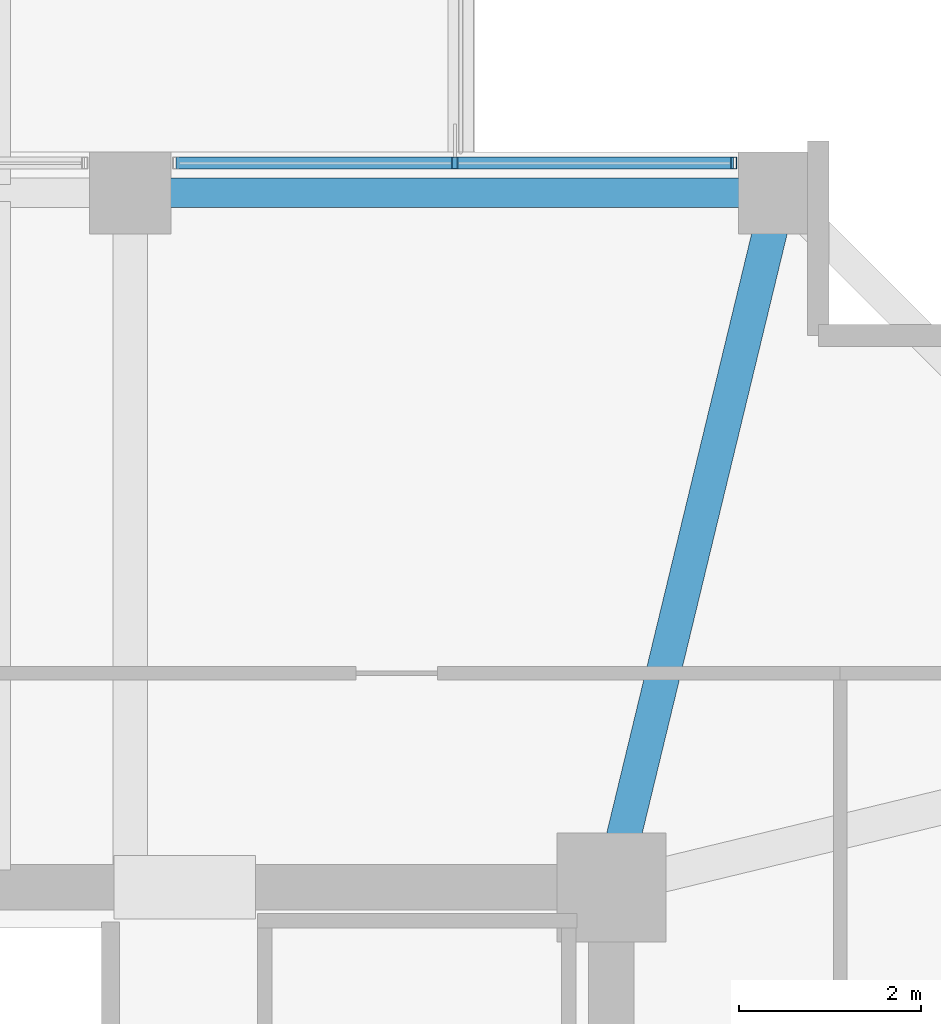
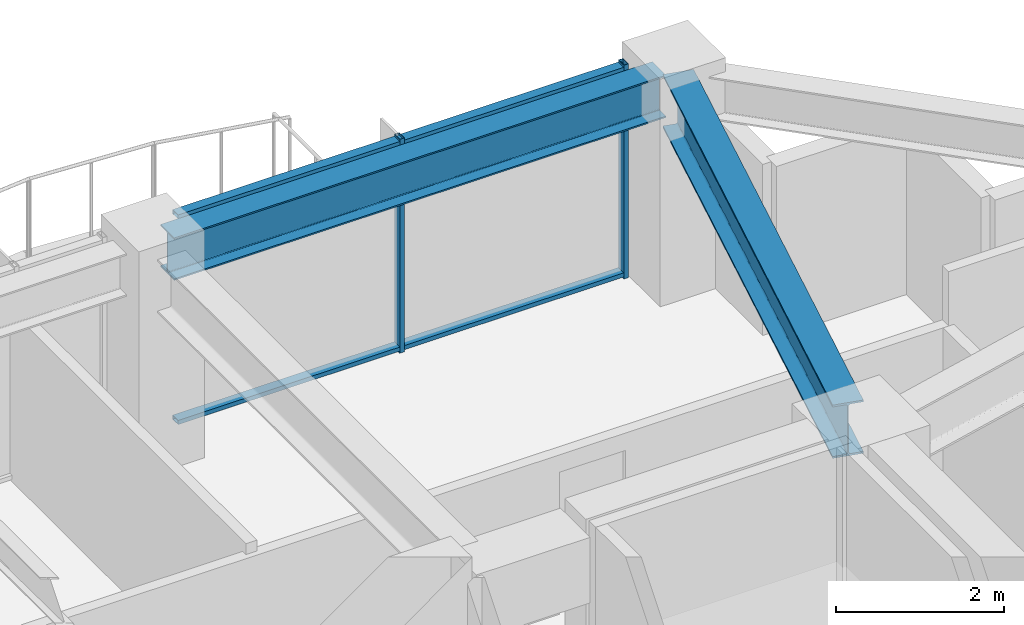
# One storey, part 19 of 31: 4 members, 2 beams, 1 element without a shape of its own.
"""IFC4 building model written with IfcOpenShell, lengths in metres."""

from ifc_helpers import new_model, si_unit, direction, frame, origin, origin_2d, place, context, subcontext, project, spatial, hollow_rectangle, i_section, extrude, material, material_profile, profile_set, type_object, element, aggregate, save


model = new_model("IFC4")

# Units and contexts
model_context = context("Model", 3, precision=1e-05, world=origin(), true_north=direction((0.0, 1.0)))
body_context = subcontext(model_context, "Body", "Model", "MODEL_VIEW")
ifc_project = project(units=[si_unit("LENGTHUNIT", "METRE"), si_unit("AREAUNIT", "SQUARE_METRE"), si_unit("VOLUMEUNIT", "CUBIC_METRE"), si_unit("PLANEANGLEUNIT", "RADIAN"), si_unit("MASSUNIT", "GRAM", prefix="KILO")], contexts=[model_context])

# Site, building, storey
site_placement = place(None, origin())
site = spatial("IfcSite", under=ifc_project, at=site_placement, CompositionType="ELEMENT")
building_placement = place(site_placement, origin())
building = spatial("IfcBuilding", under=site, at=building_placement, Name="Kolvaren Belvedere", CompositionType="ELEMENT")
storey_placement = place(building_placement, frame((0.0, 0.0, 138.199951171875)))
storey = spatial("IfcBuildingStorey", under=building, at=storey_placement, Name="L40", CompositionType="ELEMENT", Elevation=138.199951171875)

# Beams
ifc_material_1 = material(Name="Structural steel ASTM A992 Grade 50", Category="steel")
ifc_material_profile_1 = material_profile(ifc_material_1, i_section(OverallWidth=0.381103515625, OverallDepth=0.77294921875, WebThickness=0.0166015625, FlangeThickness=0.027099609375, FilletRadius=0.02392578125, at=origin_2d()), Name="W30X173")
ifc_profile_set_1 = profile_set([ifc_material_profile_1], Name="Structural steel ASTM A992 Grade 50")
beam_type_1 = type_object("IfcBeamType", Name="BM-GIRD-W30X173", PredefinedType="BEAM", material=ifc_profile_set_1)
beam_1_placement = place(storey_placement, frame((10.029296875, 10.4345703125, 2.713623046875), z_axis=(0.235062749937, 0.971980197119, 0.0), x_axis=(-0.971980197119, 0.235062749937, 0.0)))
element("IfcBeam", 1, at=beam_1_placement, inside=storey, type_object=beam_type_1, Name="L40 Corner Core-to-Perimeter Girder CC3-N4", PredefinedType="BEAM", context=body_context, shape_type="SweptSolid", body=[
    extrude(i_section(OverallWidth=0.381103515625, OverallDepth=0.77294921875, WebThickness=0.0166015625, FlangeThickness=0.027099609375, FilletRadius=0.02392578125, at=origin_2d()), origin(), (0.0, 0.0, 1.0), 7.140625),
])
ifc_material_2 = material(Name="Structural steel ASTM A992 Grade 50", Category="steel")
ifc_material_profile_2 = material_profile(ifc_material_2, i_section(OverallWidth=0.324951171875, OverallDepth=0.615966796875, WebThickness=0.013916015625, FlangeThickness=0.021484375, FilletRadius=0.02001953125, at=origin_2d()), Name="W24X117")
ifc_profile_set_2 = profile_set([ifc_material_profile_2], Name="Structural steel ASTM A992 Grade 50")
beam_type_2 = type_object("IfcBeamType", Name="BM-SPAN-W24X117", PredefinedType="SPANDREL", material=ifc_profile_set_2)
beam_2_placement = place(storey_placement, frame((11.547607421875, 17.550048828125, 2.7919921875), z_axis=(-1.0, 0.0, 0.0), x_axis=(0.0, -1.0, 0.0)))
element("IfcBeam", 2, at=beam_2_placement, inside=storey, type_object=beam_type_2, Name="L40 Perimeter Spandrel N4-N3", PredefinedType="SPANDREL", context=body_context, shape_type="SweptSolid", body=[
    extrude(i_section(OverallWidth=0.324951171875, OverallDepth=0.615966796875, WebThickness=0.013916015625, FlangeThickness=0.021484375, FilletRadius=0.02001953125, at=origin_2d()), origin(), (0.0, 0.0, 1.0), 6.7451171875),
])

# Curtain wall, members
ifc_material_3 = material(Name="Anodised pale-metal aluminium AA 6063-T6", Category="aluminium")
curtain_wall_type = type_object("IfcCurtainWallType", Name="CW-Z3-WAIST", PredefinedType="NOTDEFINED", material=ifc_material_3)
curtain_wall_placement = place(storey_placement, origin())
curtain_wall = element("IfcCurtainWall", 3, at=curtain_wall_placement, inside=storey, type_object=curtain_wall_type, Name="L40 Unitised Curtain Wall FCW-L40-N2-B2", PredefinedType="NOTDEFINED")
ifc_material_4 = material(Name="Anodised pale-metal aluminium AA 6063-T6", Category="aluminium")
ifc_material_profile_3 = material_profile(ifc_material_4, hollow_rectangle(XDim=0.06494140625, YDim=0.1298828125, WallThickness=0.00390625, at=origin_2d()), Name="ALU-MUL-130X65")
ifc_profile_set_3 = profile_set([ifc_material_profile_3], Name="Anodised pale-metal aluminium AA 6063-T6")
member_type_1 = type_object("IfcMemberType", Name="CW-MUL-130", PredefinedType="MULLION", material=ifc_profile_set_3)
member_1_placement = place(storey_placement, frame((8.175048828125, 17.8798828125, 0.0), z_axis=(0.0, 0.0, 1.0), x_axis=(1.0, 0.0, 0.0)))
member_1 = element("IfcMember", 4, at=member_1_placement, type_object=member_type_1, Name="FCW-L40-N2-B2 Unitised Mullion 2", PredefinedType="MULLION", context=body_context, shape_type="SweptSolid", body=[
    extrude(hollow_rectangle(XDim=0.06494140625, YDim=0.1298828125, WallThickness=0.00390625, at=origin_2d()), origin(), (0.0, 0.0, 1.0), 3.10009765625),
])
member_2_placement = place(storey_placement, frame((11.24755859375, 17.8798828125, 0.0), z_axis=(0.0, 0.0, 1.0), x_axis=(1.0, 0.0, 0.0)))
member_2 = element("IfcMember", 5, at=member_2_placement, type_object=member_type_1, Name="FCW-L40-N2-B2 Unitised Mullion 3", PredefinedType="MULLION", context=body_context, shape_type="SweptSolid", body=[
    extrude(hollow_rectangle(XDim=0.06494140625, YDim=0.1298828125, WallThickness=0.00390625, at=origin_2d()), origin(), (0.0, 0.0, 1.0), 3.10009765625),
])
ifc_material_5 = material(Name="Anodised pale-metal aluminium AA 6063-T6", Category="aluminium")
ifc_material_profile_4 = material_profile(ifc_material_5, hollow_rectangle(XDim=0.06005859375, YDim=0.1298828125, WallThickness=0.00390625, at=origin_2d()), Name="ALU-TRN-130X60")
ifc_profile_set_4 = profile_set([ifc_material_profile_4], Name="Anodised pale-metal aluminium AA 6063-T6")
member_type_2 = type_object("IfcMemberType", Name="CW-TRN-130", PredefinedType="USERDEFINED", material=ifc_profile_set_4)
member_3_placement = place(storey_placement, frame((5.1025390625, 17.8798828125, 0.06005859375), z_axis=(1.0, 0.0, 0.0), x_axis=(0.0, 0.0, 1.0)))
member_3 = element("IfcMember", 6, at=member_3_placement, type_object=member_type_2, Name="FCW-L40-N2-B2 Sill Transom", ObjectType="TRANSOM", PredefinedType="USERDEFINED", context=body_context, shape_type="SweptSolid", body=[
    extrude(hollow_rectangle(XDim=0.06005859375, YDim=0.1298828125, WallThickness=0.00390625, at=origin_2d()), origin(), (0.0, 0.0, 1.0), 6.14501953125),
])
member_4_placement = place(storey_placement, frame((5.1025390625, 17.8798828125, 3.0400390625), z_axis=(1.0, 0.0, 0.0), x_axis=(0.0, 0.0, 1.0)))
member_4 = element("IfcMember", 7, at=member_4_placement, type_object=member_type_2, Name="FCW-L40-N2-B2 Head Transom", ObjectType="TRANSOM", PredefinedType="USERDEFINED", context=body_context, shape_type="SweptSolid", body=[
    extrude(hollow_rectangle(XDim=0.06005859375, YDim=0.1298828125, WallThickness=0.00390625, at=origin_2d()), origin(), (0.0, 0.0, 1.0), 6.14501953125),
])
aggregate(curtain_wall, [member_1, member_2, member_3, member_4])

save(model, "model.ifc")
